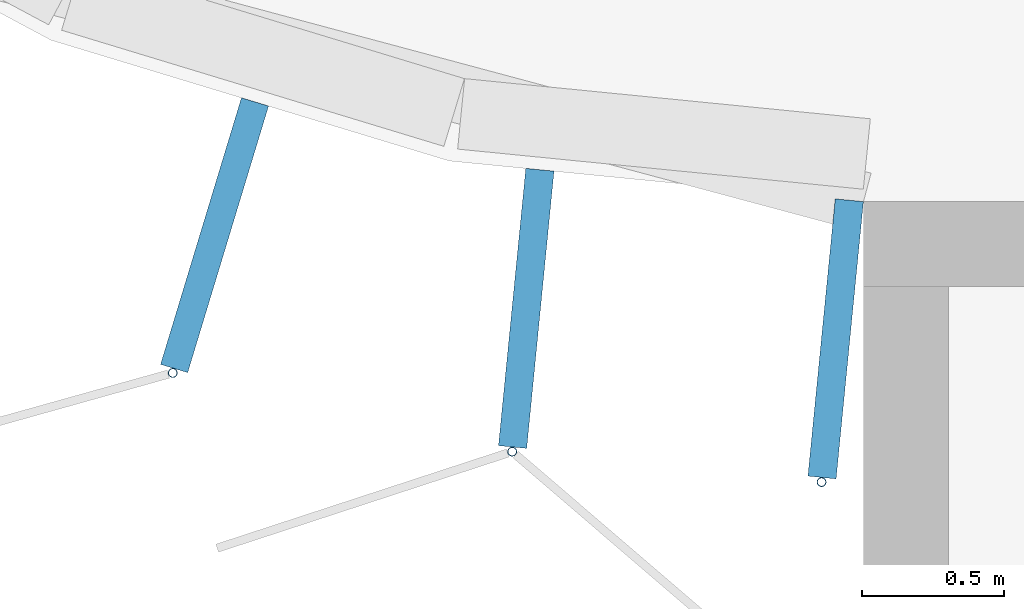
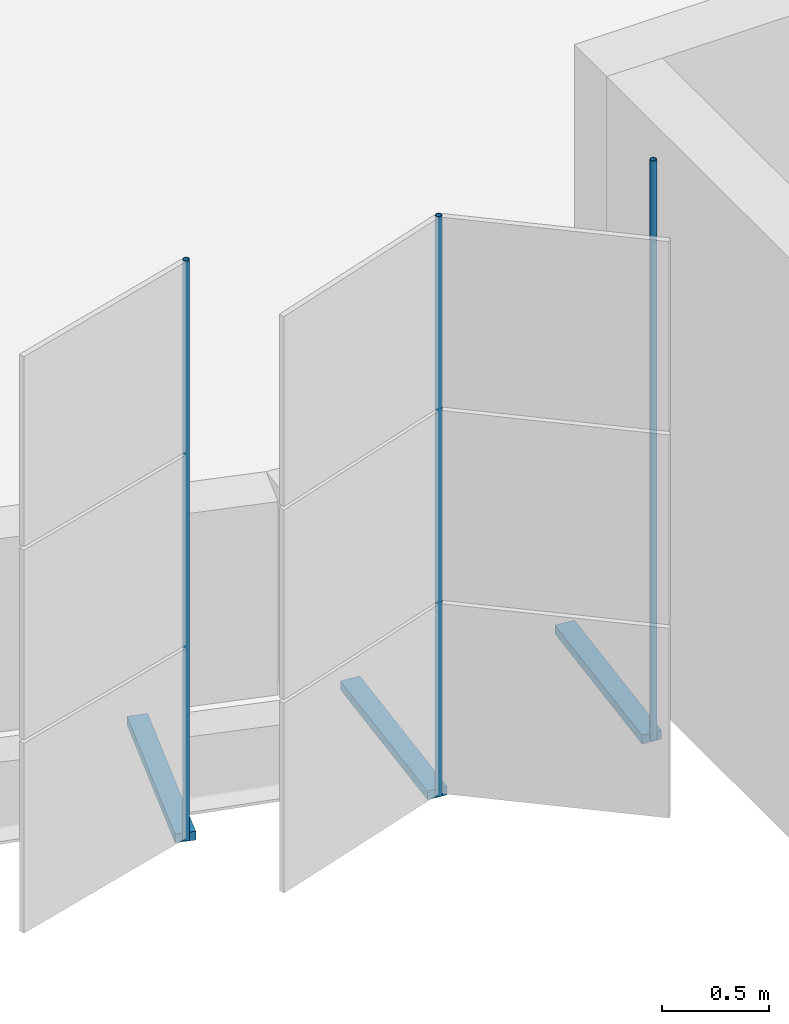
# One storey, part 105 of 214: 6 discrete accessories.
"""IFC4 building model written with IfcOpenShell, lengths in metres."""

from ifc_helpers import new_model, si_unit, direction, frame, origin, origin_2d, place, context, subcontext, project, spatial, rectangle, hollow_circle, extrude, material, material_profile, profile_set, type_object, element, save


model = new_model("IFC4")

# Units and contexts
model_context = context("Model", 3, precision=1e-05, world=origin(), true_north=direction((0.0, 1.0)))
body_context = subcontext(model_context, "Body", "Model", "MODEL_VIEW")
ifc_project = project(units=[si_unit("LENGTHUNIT", "METRE"), si_unit("AREAUNIT", "SQUARE_METRE"), si_unit("VOLUMEUNIT", "CUBIC_METRE"), si_unit("PLANEANGLEUNIT", "RADIAN"), si_unit("MASSUNIT", "GRAM", prefix="KILO")], contexts=[model_context])

# Site, building, storey
site_placement = place(None, origin())
site = spatial("IfcSite", under=ifc_project, at=site_placement, CompositionType="ELEMENT")
building_placement = place(site_placement, origin())
building = spatial("IfcBuilding", under=site, at=building_placement, Name="Parallax Yard Mobility Hub", CompositionType="ELEMENT")
storey_placement = place(building_placement, frame((0.0, 0.0, 3.300048828125)))
storey = spatial("IfcBuildingStorey", under=building, at=storey_placement, Name="L01", CompositionType="ELEMENT", Elevation=3.300048828125)

# Discrete accessories
ifc_material_1 = material(Name="Steel ASTM A36, hot-dip galvanised", Category="steel")
discrete_accessory_type_1 = type_object("IfcDiscreteAccessoryType", Name="Hinge bracket plate 100x50", PredefinedType="BRACKET", material=ifc_material_1)
for number, where, z_axis, x_axis, name in (
    (1, (200.2080078125, 22.3818359375, -0.02490234375), (0.0, 0.0, 1.0), (-0.290284677254, -0.956940335732, 0.0), "Hinge bracket plate bay 30.10 level L01"),
    (2, (201.30908203125, 22.123291015625, -0.02490234375), (0.0, 0.0, 1.0), (-0.09801714033, -0.995184726672, 0.0), "Hinge bracket plate bay 30.11 level L01"),
    (3, (202.402099609375, 22.015625, -0.02490234375), (0.0, 0.0, 1.0), (-0.09801714033, -0.995184726672, 0.0), "Hinge bracket plate bay 30.12 level L01"),
):
    element("IfcDiscreteAccessory", number, at=place(storey_placement, frame(where, z_axis=z_axis, x_axis=x_axis)), inside=storey, type_object=discrete_accessory_type_1, Name=name, PredefinedType="BRACKET", context=body_context, shape_type="SweptSolid", body=[
        extrude(rectangle(XDim=0.984130859375, YDim=0.10009765625, at=origin_2d()), origin(), (0.0, 0.0, 1.0), 0.050048828125),
    ])
ifc_material_2 = material(Name="Steel ASTM A500 Gr C, hot-dip galvanised", Category="steel")
ifc_material_profile = material_profile(ifc_material_2, hollow_circle(Radius=0.016845703125, WallThickness=0.003173828125, at=origin_2d()), Name="CHS 33.7x3.2")
ifc_profile_set = profile_set([ifc_material_profile], Name="Steel ASTM A500 Gr C, hot-dip galvanised")
discrete_accessory_type_2 = type_object("IfcDiscreteAccessoryType", Name="Hinge post CHS 33.7x3.2", PredefinedType="BRACKET", material=ifc_profile_set)
for number, where, z_axis, x_axis, name in (
    (4, (200.060302734375, 21.895263671875, 0.0), (0.0, 0.0, 1.0), (1.0, 0.0, 0.0), "Hinge post bay 30.10 level L01"),
    (5, (201.25927734375, 21.617431640625, 0.0), (0.0, 0.0, 1.0), (1.0, 0.0, 0.0), "Hinge post bay 30.11 level L01"),
    (6, (202.352294921875, 21.509765625, 0.0), (0.0, 0.0, 1.0), (1.0, 0.0, 0.0), "Hinge post bay 30.12 level L01"),
):
    element("IfcDiscreteAccessory", number, at=place(storey_placement, frame(where, z_axis=z_axis, x_axis=x_axis)), inside=storey, type_object=discrete_accessory_type_2, Name=name, PredefinedType="BRACKET", context=body_context, shape_type="SweptSolid", body=[
        extrude(hollow_circle(Radius=0.016845703125, WallThickness=0.003173828125, at=origin_2d()), origin(), (0.0, 0.0, 1.0), 3.300048828125),
    ])

save(model, "model.ifc")
